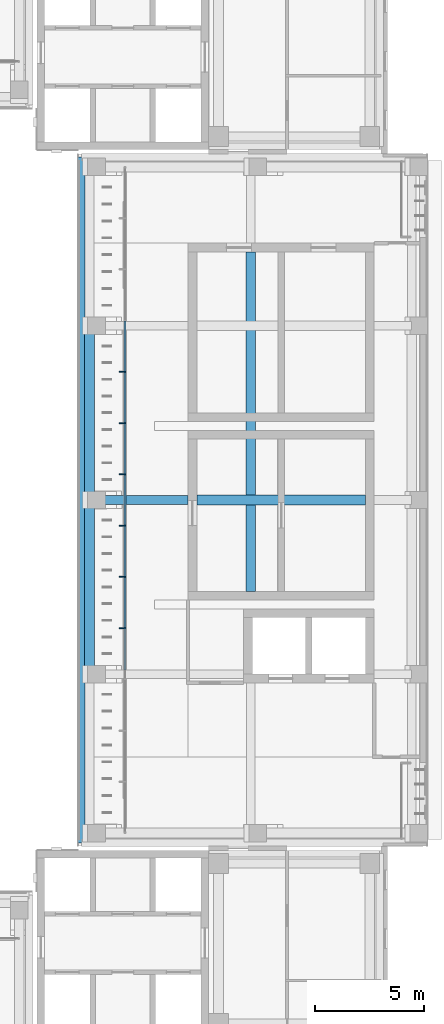
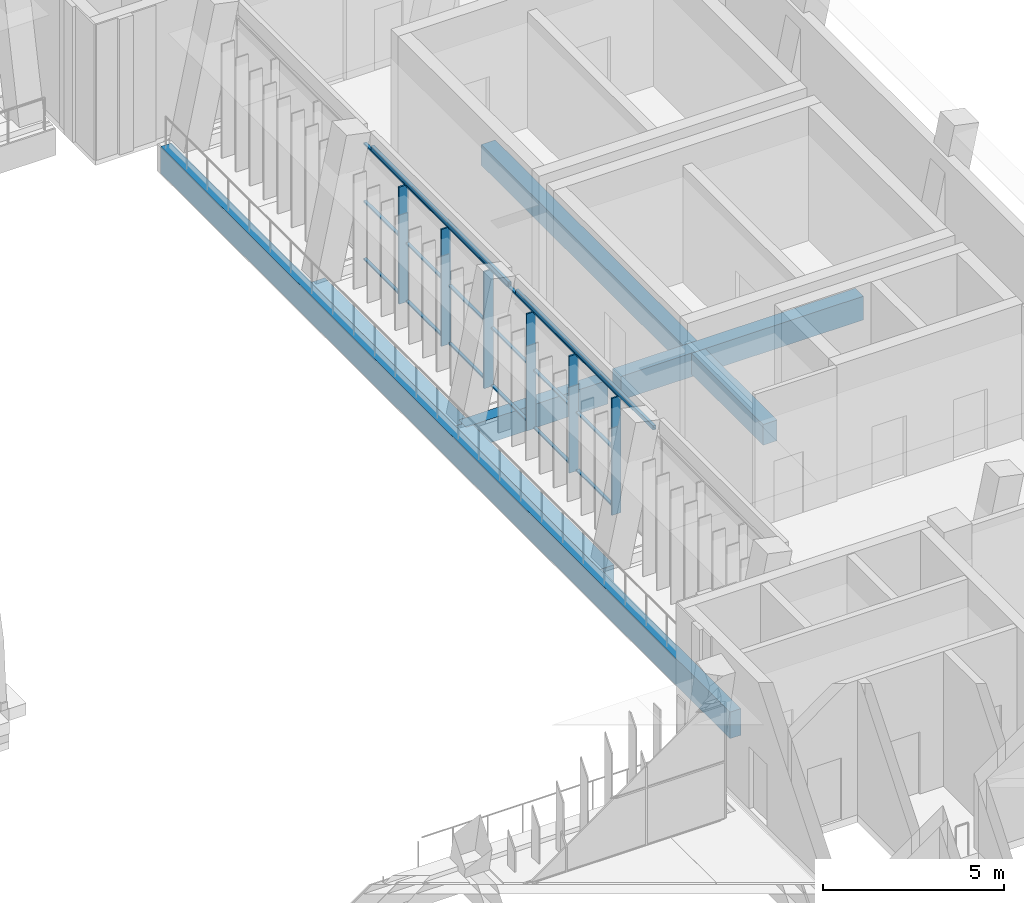
# One storey, part 78 of 141: 24 members, 8 beams, 1 element without a shape of its own.
"""IFC4 building model written with IfcOpenShell, lengths in metres."""

from ifc_helpers import new_model, si_unit, direction, frame, origin, origin_2d, place, context, subcontext, project, spatial, rectangle, hollow_rectangle, extrude, material, material_profile, profile_set, type_object, element, aggregate, save


model = new_model("IFC4")

# Units and contexts
model_context = context("Model", 3, precision=1e-05, world=origin(), true_north=direction((0.0, 1.0)))
body_context = subcontext(model_context, "Body", "Model", "MODEL_VIEW")
ifc_project = project(units=[si_unit("LENGTHUNIT", "METRE"), si_unit("AREAUNIT", "SQUARE_METRE"), si_unit("VOLUMEUNIT", "CUBIC_METRE"), si_unit("PLANEANGLEUNIT", "RADIAN"), si_unit("MASSUNIT", "GRAM", prefix="KILO")], contexts=[model_context])

# Site, building, storey
site_placement = place(None, origin())
site = spatial("IfcSite", under=ifc_project, at=site_placement, CompositionType="ELEMENT")
building_placement = place(site_placement, origin())
building = spatial("IfcBuilding", under=site, at=building_placement, Name="Lantern Court Media Centre", CompositionType="ELEMENT")
storey_placement = place(building_placement, frame((0.0, 0.0, 9.60009765625)))
storey = spatial("IfcBuildingStorey", under=building, at=storey_placement, Name="L02", CompositionType="ELEMENT", Elevation=9.60009765625)

# Curtain wall, members
ifc_material_1 = material(Name="Curtain wall bay 2400")
curtain_wall_type = type_object("IfcCurtainWallType", Name="Curtain wall bay 2400", PredefinedType="NOTDEFINED", material=ifc_material_1)
curtain_wall_placement = place(storey_placement, origin())
curtain_wall = element("IfcCurtainWall", 1, at=curtain_wall_placement, inside=storey, type_object=curtain_wall_type, Name="Curtain wall E inner L02", PredefinedType="NOTDEFINED")
ifc_material_2 = material(Name="Anodised aluminium", Category="aluminium")
ifc_material_profile_1 = material_profile(ifc_material_2, rectangle(XDim=0.300048828125, YDim=0.050048828125, at=origin_2d()), Name="AL 50x300")
ifc_profile_set_1 = profile_set([ifc_material_profile_1], Name="Anodised aluminium")
member_type_1 = type_object("IfcMemberType", Name="Curtain wall mullion 50x300", PredefinedType="MULLION", material=ifc_profile_set_1)
member_1_placement = place(storey_placement, frame((84.030029296875, 74.115478515625, 0.0), z_axis=(0.0, 0.0, 1.0), x_axis=(-1.0, 0.0, 0.0)))
member_1 = element("IfcMember", 2, at=member_1_placement, type_object=member_type_1, Name="CW2 mullion 5", PredefinedType="MULLION", context=body_context, shape_type="SweptSolid", body=[
    extrude(rectangle(XDim=0.300048828125, YDim=0.050048828125, at=origin_2d()), origin(), (0.0, 0.0, 1.0), 3.949951171875),
])
member_2_placement = place(storey_placement, frame((84.030029296875, 76.46923828125, 0.0), z_axis=(0.0, 0.0, 1.0), x_axis=(-1.0, 0.0, 0.0)))
member_2 = element("IfcMember", 3, at=member_2_placement, type_object=member_type_1, Name="CW2 mullion 6", PredefinedType="MULLION", context=body_context, shape_type="SweptSolid", body=[
    extrude(rectangle(XDim=0.300048828125, YDim=0.050048828125, at=origin_2d()), origin(), (0.0, 0.0, 1.0), 3.949951171875),
])
member_3_placement = place(storey_placement, frame((84.030029296875, 78.822998046875, 0.0), z_axis=(0.0, 0.0, 1.0), x_axis=(-1.0, 0.0, 0.0)))
member_3 = element("IfcMember", 4, at=member_3_placement, type_object=member_type_1, Name="CW2 mullion 7", PredefinedType="MULLION", context=body_context, shape_type="SweptSolid", body=[
    extrude(rectangle(XDim=0.300048828125, YDim=0.050048828125, at=origin_2d()), origin(), (0.0, 0.0, 1.0), 3.949951171875),
])
member_4_placement = place(storey_placement, frame((84.030029296875, 81.177001953125, 0.0), z_axis=(0.0, 0.0, 1.0), x_axis=(-1.0, 0.0, 0.0)))
member_4 = element("IfcMember", 5, at=member_4_placement, type_object=member_type_1, Name="CW2 mullion 8", PredefinedType="MULLION", context=body_context, shape_type="SweptSolid", body=[
    extrude(rectangle(XDim=0.300048828125, YDim=0.050048828125, at=origin_2d()), origin(), (0.0, 0.0, 1.0), 3.949951171875),
])
member_5_placement = place(storey_placement, frame((84.030029296875, 83.53076171875, 0.0), z_axis=(0.0, 0.0, 1.0), x_axis=(-1.0, 0.0, 0.0)))
member_5 = element("IfcMember", 6, at=member_5_placement, type_object=member_type_1, Name="CW2 mullion 9", PredefinedType="MULLION", context=body_context, shape_type="SweptSolid", body=[
    extrude(rectangle(XDim=0.300048828125, YDim=0.050048828125, at=origin_2d()), origin(), (0.0, 0.0, 1.0), 3.949951171875),
])
member_6_placement = place(storey_placement, frame((84.030029296875, 85.884521484375, 0.0), z_axis=(0.0, 0.0, 1.0), x_axis=(-1.0, 0.0, 0.0)))
member_6 = element("IfcMember", 7, at=member_6_placement, type_object=member_type_1, Name="CW2 mullion 10", PredefinedType="MULLION", context=body_context, shape_type="SweptSolid", body=[
    extrude(rectangle(XDim=0.300048828125, YDim=0.050048828125, at=origin_2d()), origin(), (0.0, 0.0, 1.0), 3.949951171875),
])
ifc_material_profile_2 = material_profile(ifc_material_2, rectangle(XDim=0.10009765625, YDim=0.050048828125, at=origin_2d()), Name="AL 50x100")
ifc_profile_set_2 = profile_set([ifc_material_profile_2], Name="Anodised aluminium")
member_type_2 = type_object("IfcMemberType", Name="Curtain wall transom 100x50", PredefinedType="USERDEFINED", material=ifc_profile_set_2)
member_7_placement = place(storey_placement, frame((84.14990234375, 74.140380859375, 0.02490234375), z_axis=(0.0, 1.0, 0.0), x_axis=(-1.0, 0.0, 0.0)))
member_7 = element("IfcMember", 8, at=member_7_placement, type_object=member_type_2, Name="CW2 transom 5.1", ObjectType="TRANSOM", PredefinedType="USERDEFINED", context=body_context, shape_type="SweptSolid", body=[
    extrude(rectangle(XDim=0.10009765625, YDim=0.050048828125, at=origin_2d()), origin(), (0.0, 0.0, 1.0), 2.303955078125),
])
member_8_placement = place(storey_placement, frame((84.14990234375, 74.140380859375, 1.974853515625), z_axis=(0.0, 1.0, 0.0), x_axis=(-1.0, 0.0, 0.0)))
member_8 = element("IfcMember", 9, at=member_8_placement, type_object=member_type_2, Name="CW2 transom 5.2", ObjectType="TRANSOM", PredefinedType="USERDEFINED", context=body_context, shape_type="SweptSolid", body=[
    extrude(rectangle(XDim=0.10009765625, YDim=0.050048828125, at=origin_2d()), origin(), (0.0, 0.0, 1.0), 2.303955078125),
])
member_9_placement = place(storey_placement, frame((84.14990234375, 74.140380859375, 3.9248046875), z_axis=(0.0, 1.0, 0.0), x_axis=(-1.0, 0.0, 0.0)))
member_9 = element("IfcMember", 10, at=member_9_placement, type_object=member_type_2, Name="CW2 transom 5.3", ObjectType="TRANSOM", PredefinedType="USERDEFINED", context=body_context, shape_type="SweptSolid", body=[
    extrude(rectangle(XDim=0.10009765625, YDim=0.050048828125, at=origin_2d()), origin(), (0.0, 0.0, 1.0), 2.303955078125),
])
member_10_placement = place(storey_placement, frame((84.14990234375, 76.494140625, 0.02490234375), z_axis=(0.0, 1.0, 0.0), x_axis=(-1.0, 0.0, 0.0)))
member_10 = element("IfcMember", 11, at=member_10_placement, type_object=member_type_2, Name="CW2 transom 6.1", ObjectType="TRANSOM", PredefinedType="USERDEFINED", context=body_context, shape_type="SweptSolid", body=[
    extrude(rectangle(XDim=0.10009765625, YDim=0.050048828125, at=origin_2d()), origin(), (0.0, 0.0, 1.0), 2.303955078125),
])
member_11_placement = place(storey_placement, frame((84.14990234375, 76.494140625, 1.974853515625), z_axis=(0.0, 1.0, 0.0), x_axis=(-1.0, 0.0, 0.0)))
member_11 = element("IfcMember", 12, at=member_11_placement, type_object=member_type_2, Name="CW2 transom 6.2", ObjectType="TRANSOM", PredefinedType="USERDEFINED", context=body_context, shape_type="SweptSolid", body=[
    extrude(rectangle(XDim=0.10009765625, YDim=0.050048828125, at=origin_2d()), origin(), (0.0, 0.0, 1.0), 2.303955078125),
])
member_12_placement = place(storey_placement, frame((84.14990234375, 76.494140625, 3.9248046875), z_axis=(0.0, 1.0, 0.0), x_axis=(-1.0, 0.0, 0.0)))
member_12 = element("IfcMember", 13, at=member_12_placement, type_object=member_type_2, Name="CW2 transom 6.3", ObjectType="TRANSOM", PredefinedType="USERDEFINED", context=body_context, shape_type="SweptSolid", body=[
    extrude(rectangle(XDim=0.10009765625, YDim=0.050048828125, at=origin_2d()), origin(), (0.0, 0.0, 1.0), 2.303955078125),
])
member_13_placement = place(storey_placement, frame((84.14990234375, 78.84814453125, 0.02490234375), z_axis=(0.0, 1.0, 0.0), x_axis=(-1.0, 0.0, 0.0)))
member_13 = element("IfcMember", 14, at=member_13_placement, type_object=member_type_2, Name="CW2 transom 7.1", ObjectType="TRANSOM", PredefinedType="USERDEFINED", context=body_context, shape_type="SweptSolid", body=[
    extrude(rectangle(XDim=0.10009765625, YDim=0.050048828125, at=origin_2d()), origin(), (0.0, 0.0, 1.0), 2.3037109375),
])
member_14_placement = place(storey_placement, frame((84.14990234375, 78.84814453125, 1.974853515625), z_axis=(0.0, 1.0, 0.0), x_axis=(-1.0, 0.0, 0.0)))
member_14 = element("IfcMember", 15, at=member_14_placement, type_object=member_type_2, Name="CW2 transom 7.2", ObjectType="TRANSOM", PredefinedType="USERDEFINED", context=body_context, shape_type="SweptSolid", body=[
    extrude(rectangle(XDim=0.10009765625, YDim=0.050048828125, at=origin_2d()), origin(), (0.0, 0.0, 1.0), 2.3037109375),
])
member_15_placement = place(storey_placement, frame((84.14990234375, 78.84814453125, 3.9248046875), z_axis=(0.0, 1.0, 0.0), x_axis=(-1.0, 0.0, 0.0)))
member_15 = element("IfcMember", 16, at=member_15_placement, type_object=member_type_2, Name="CW2 transom 7.3", ObjectType="TRANSOM", PredefinedType="USERDEFINED", context=body_context, shape_type="SweptSolid", body=[
    extrude(rectangle(XDim=0.10009765625, YDim=0.050048828125, at=origin_2d()), origin(), (0.0, 0.0, 1.0), 2.3037109375),
])
member_16_placement = place(storey_placement, frame((84.14990234375, 81.201904296875, 0.02490234375), z_axis=(0.0, 1.0, 0.0), x_axis=(-1.0, 0.0, 0.0)))
member_16 = element("IfcMember", 17, at=member_16_placement, type_object=member_type_2, Name="CW2 transom 8.1", ObjectType="TRANSOM", PredefinedType="USERDEFINED", context=body_context, shape_type="SweptSolid", body=[
    extrude(rectangle(XDim=0.10009765625, YDim=0.050048828125, at=origin_2d()), origin(), (0.0, 0.0, 1.0), 2.303955078125),
])
member_17_placement = place(storey_placement, frame((84.14990234375, 81.201904296875, 1.974853515625), z_axis=(0.0, 1.0, 0.0), x_axis=(-1.0, 0.0, 0.0)))
member_17 = element("IfcMember", 18, at=member_17_placement, type_object=member_type_2, Name="CW2 transom 8.2", ObjectType="TRANSOM", PredefinedType="USERDEFINED", context=body_context, shape_type="SweptSolid", body=[
    extrude(rectangle(XDim=0.10009765625, YDim=0.050048828125, at=origin_2d()), origin(), (0.0, 0.0, 1.0), 2.303955078125),
])
member_18_placement = place(storey_placement, frame((84.14990234375, 81.201904296875, 3.9248046875), z_axis=(0.0, 1.0, 0.0), x_axis=(-1.0, 0.0, 0.0)))
member_18 = element("IfcMember", 19, at=member_18_placement, type_object=member_type_2, Name="CW2 transom 8.3", ObjectType="TRANSOM", PredefinedType="USERDEFINED", context=body_context, shape_type="SweptSolid", body=[
    extrude(rectangle(XDim=0.10009765625, YDim=0.050048828125, at=origin_2d()), origin(), (0.0, 0.0, 1.0), 2.303955078125),
])
member_19_placement = place(storey_placement, frame((84.14990234375, 83.5556640625, 0.02490234375), z_axis=(0.0, 1.0, 0.0), x_axis=(-1.0, 0.0, 0.0)))
member_19 = element("IfcMember", 20, at=member_19_placement, type_object=member_type_2, Name="CW2 transom 9.1", ObjectType="TRANSOM", PredefinedType="USERDEFINED", context=body_context, shape_type="SweptSolid", body=[
    extrude(rectangle(XDim=0.10009765625, YDim=0.050048828125, at=origin_2d()), origin(), (0.0, 0.0, 1.0), 2.303955078125),
])
member_20_placement = place(storey_placement, frame((84.14990234375, 83.5556640625, 1.974853515625), z_axis=(0.0, 1.0, 0.0), x_axis=(-1.0, 0.0, 0.0)))
member_20 = element("IfcMember", 21, at=member_20_placement, type_object=member_type_2, Name="CW2 transom 9.2", ObjectType="TRANSOM", PredefinedType="USERDEFINED", context=body_context, shape_type="SweptSolid", body=[
    extrude(rectangle(XDim=0.10009765625, YDim=0.050048828125, at=origin_2d()), origin(), (0.0, 0.0, 1.0), 2.303955078125),
])
member_21_placement = place(storey_placement, frame((84.14990234375, 83.5556640625, 3.9248046875), z_axis=(0.0, 1.0, 0.0), x_axis=(-1.0, 0.0, 0.0)))
member_21 = element("IfcMember", 22, at=member_21_placement, type_object=member_type_2, Name="CW2 transom 9.3", ObjectType="TRANSOM", PredefinedType="USERDEFINED", context=body_context, shape_type="SweptSolid", body=[
    extrude(rectangle(XDim=0.10009765625, YDim=0.050048828125, at=origin_2d()), origin(), (0.0, 0.0, 1.0), 2.303955078125),
])
member_22_placement = place(storey_placement, frame((84.14990234375, 85.90966796875, 0.02490234375), z_axis=(0.0, 1.0, 0.0), x_axis=(-1.0, 0.0, 0.0)))
member_22 = element("IfcMember", 23, at=member_22_placement, type_object=member_type_2, Name="CW2 transom 10.1", ObjectType="TRANSOM", PredefinedType="USERDEFINED", context=body_context, shape_type="SweptSolid", body=[
    extrude(rectangle(XDim=0.10009765625, YDim=0.050048828125, at=origin_2d()), origin(), (0.0, 0.0, 1.0), 2.3037109375),
])
member_23_placement = place(storey_placement, frame((84.14990234375, 85.90966796875, 1.974853515625), z_axis=(0.0, 1.0, 0.0), x_axis=(-1.0, 0.0, 0.0)))
member_23 = element("IfcMember", 24, at=member_23_placement, type_object=member_type_2, Name="CW2 transom 10.2", ObjectType="TRANSOM", PredefinedType="USERDEFINED", context=body_context, shape_type="SweptSolid", body=[
    extrude(rectangle(XDim=0.10009765625, YDim=0.050048828125, at=origin_2d()), origin(), (0.0, 0.0, 1.0), 2.3037109375),
])
member_24_placement = place(storey_placement, frame((84.14990234375, 85.90966796875, 3.9248046875), z_axis=(0.0, 1.0, 0.0), x_axis=(-1.0, 0.0, 0.0)))
member_24 = element("IfcMember", 25, at=member_24_placement, type_object=member_type_2, Name="CW2 transom 10.3", ObjectType="TRANSOM", PredefinedType="USERDEFINED", context=body_context, shape_type="SweptSolid", body=[
    extrude(rectangle(XDim=0.10009765625, YDim=0.050048828125, at=origin_2d()), origin(), (0.0, 0.0, 1.0), 2.3037109375),
])
aggregate(curtain_wall, [member_1, member_2, member_3, member_4, member_5, member_6, member_7, member_8, member_9, member_10, member_11, member_12, member_13, member_14, member_15, member_16, member_17, member_18, member_19, member_20, member_21, member_22, member_23, member_24])

# Beams
ifc_material_3 = material(Name="Steel S355J2 (EN 10025-2)", Category="steel")
ifc_material_profile_3 = material_profile(ifc_material_3, hollow_rectangle(XDim=0.10009765625, YDim=0.14990234375, WallThickness=0.00634765625, InnerFilletRadius=0.00634765625, OuterFilletRadius=0.009521484375, at=origin_2d()), Name="Facade head lintel RHS 150x100x6.3")
ifc_profile_set_3 = profile_set([ifc_material_profile_3], Name="Steel S355J2 (EN 10025-2)")
beam_type_1 = type_object("IfcBeamType", Name="Facade head lintel RHS 150x100x6.3", PredefinedType="BEAM", material=ifc_profile_set_3)
for number, where, z_axis, x_axis, name in (
    (26, (84.14990234375, 72.199951171875, 4.02490234375), (0.0, 1.0, 0.0), (-1.0, 0.0, 0.0), "Facade head lintel E L02"),
    (27, (84.14990234375, 80.199951171875, 4.02490234375), (0.0, 1.0, 0.0), (-1.0, 0.0, 0.0), "Facade head lintel E L02"),
):
    element("IfcBeam", number, at=place(storey_placement, frame(where, z_axis=z_axis, x_axis=x_axis)), inside=storey, type_object=beam_type_1, Name=name, PredefinedType="BEAM", context=body_context, shape_type="SweptSolid", body=[
        extrude(hollow_rectangle(XDim=0.10009765625, YDim=0.14990234375, WallThickness=0.00634765625, InnerFilletRadius=0.00634765625, OuterFilletRadius=0.009521484375, at=origin_2d()), origin(), (0.0, 0.0, 1.0), 7.60009765625),
    ])
ifc_material_4 = material(Name="Concrete C35", Category="concrete")
ifc_material_profile_4 = material_profile(ifc_material_4, rectangle(XDim=0.35009765625, YDim=0.89990234375, at=origin_2d()), Name="RC 350x900")
ifc_profile_set_4 = profile_set([ifc_material_profile_4], Name="Concrete C35")
beam_type_2 = type_object("IfcBeamType", Name="RC BEAM 350x900", PredefinedType="BEAM", material=ifc_profile_set_4)
beam_1_placement = place(storey_placement, frame((82.14990234375, 64.25, -0.4501953125), z_axis=(0.0, 1.0, 0.0), x_axis=(-1.0, 0.0, 0.0)))
element("IfcBeam", 28, at=beam_1_placement, inside=storey, type_object=beam_type_2, Name="EB-E-L02-A", PredefinedType="BEAM", context=body_context, shape_type="SweptSolid", body=[
    extrude(rectangle(XDim=0.35009765625, YDim=0.89990234375, at=origin_2d()), origin(), (0.0, 0.0, 1.0), 31.5),
])
ifc_material_profile_5 = material_profile(ifc_material_4, rectangle(XDim=0.39990234375, YDim=0.800048828125, at=origin_2d()), Name="RC 400x800")
ifc_profile_set_5 = profile_set([ifc_material_profile_5], Name="Concrete C35")
beam_type_3 = type_object("IfcBeamType", Name="RC BEAM 400x800", PredefinedType="BEAM", material=ifc_profile_set_5)
beam_2_placement = place(storey_placement, frame((82.5166015625, 80.0, -0.400146484375), z_axis=(1.0, 0.0, 0.0), x_axis=(0.0, 1.0, 0.0)))
element("IfcBeam", 29, at=beam_2_placement, inside=storey, type_object=beam_type_3, Name="TB-E-L02-2-1", PredefinedType="BEAM", context=body_context, shape_type="SweptSolid", body=[
    extrude(rectangle(XDim=0.39990234375, YDim=0.800048828125, at=origin_2d()), origin(), (0.0, 0.0, 1.0), 4.533447265625),
])
ifc_material_profile_6 = material_profile(ifc_material_4, rectangle(XDim=0.449951171875, YDim=0.699951171875, at=origin_2d()), Name="RC 450x700")
ifc_profile_set_6 = profile_set([ifc_material_profile_6], Name="Concrete C35")
beam_type_4 = type_object("IfcBeamType", Name="RC BEAM 450x700", PredefinedType="BEAM", material=ifc_profile_set_6)
for number, where, z_axis, x_axis, name in (
    (30, (82.527099609375, 72.0, -0.35009765625), (0.0, 1.0, 0.0), (-1.0, 0.0, 0.0), "LB-E-L02-0-1"),
    (31, (82.527099609375, 80.0, -0.35009765625), (0.0, 1.0, 0.0), (-1.0, 0.0, 0.0), "LB-E-L02-0-2"),
):
    element("IfcBeam", number, at=place(storey_placement, frame(where, z_axis=z_axis, x_axis=x_axis)), inside=storey, type_object=beam_type_4, Name=name, PredefinedType="BEAM", context=body_context, shape_type="SweptSolid", body=[
        extrude(rectangle(XDim=0.449951171875, YDim=0.699951171875, at=origin_2d()), origin(), (0.0, 0.0, 1.0), 8.0),
    ])
beam_3_placement = place(storey_placement, frame((89.927001953125, 75.800048828125, -0.35009765625), z_axis=(0.0, 1.0, 0.0), x_axis=(-1.0, 0.0, 0.0)))
element("IfcBeam", 32, at=beam_3_placement, inside=storey, type_object=beam_type_4, Name="LB-E-L02-1-1", PredefinedType="BEAM", context=body_context, shape_type="SweptSolid", body=[
    extrude(rectangle(XDim=0.449951171875, YDim=0.699951171875, at=origin_2d()), origin(), (0.0, 0.0, 1.0), 15.599853515625),
])
ifc_material_profile_7 = material_profile(ifc_material_4, rectangle(XDim=0.449951171875, YDim=0.800048828125, at=origin_2d()), Name="RC 450x800")
ifc_profile_set_7 = profile_set([ifc_material_profile_7], Name="Concrete C35")
beam_type_5 = type_object("IfcBeamType", Name="RC BEAM 450x800", PredefinedType="BEAM", material=ifc_profile_set_7)
beam_4_placement = place(storey_placement, frame((87.449951171875, 80.0, -0.400146484375), z_axis=(1.0, 0.0, 0.0), x_axis=(0.0, 1.0, 0.0)))
element("IfcBeam", 33, at=beam_4_placement, inside=storey, type_object=beam_type_5, Name="TB-E-L02-2-11", PredefinedType="BEAM", context=body_context, shape_type="SweptSolid", body=[
    extrude(rectangle(XDim=0.449951171875, YDim=0.800048828125, at=origin_2d()), origin(), (0.0, 0.0, 1.0), 7.75),
])

save(model, "model.ifc")
